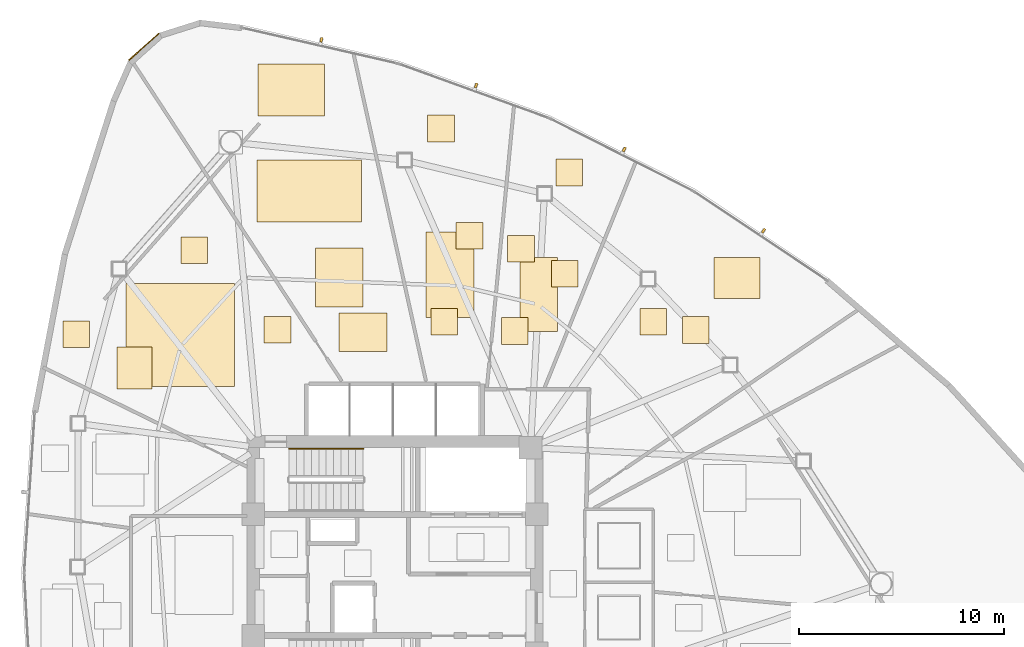
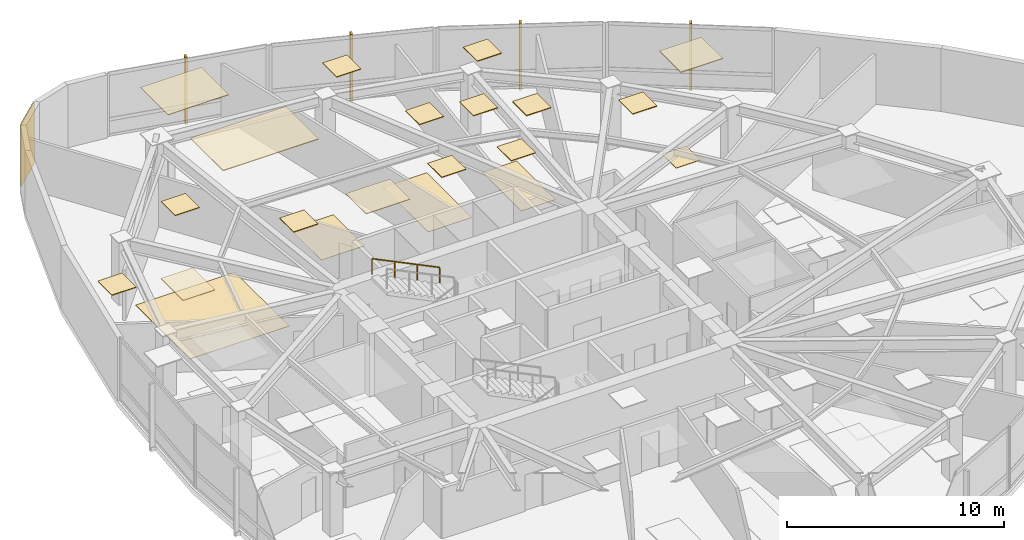
# One storey, part 18 of 18: 22 coverings, 4 shading devices, 1 railing.
"""IFC4 building model written with IfcOpenShell, lengths in metres."""

from ifc_helpers import new_model, si_unit, direction, frame, origin, origin_2d, place, context, subcontext, project, spatial, polyline, rectangle, outline, extrude, source, transform, mapped, material, layer, layer_set, type_object, type_shapes, element, save


model = new_model("IFC4")

# Units and contexts
model_context = context("Model", 3, precision=1e-05, world=origin(), true_north=direction((0.0, 1.0)))
body_context = subcontext(model_context, "Body", "Model", "MODEL_VIEW")
ifc_project = project(units=[si_unit("LENGTHUNIT", "METRE"), si_unit("AREAUNIT", "SQUARE_METRE"), si_unit("VOLUMEUNIT", "CUBIC_METRE"), si_unit("PLANEANGLEUNIT", "RADIAN"), si_unit("MASSUNIT", "GRAM", prefix="KILO")], contexts=[model_context])

# Site, building, storey
site_placement = place(None, origin())
site = spatial("IfcSite", under=ifc_project, at=site_placement, CompositionType="ELEMENT")
building_placement = place(site_placement, origin())
building = spatial("IfcBuilding", under=site, at=building_placement, Name="Tavelor Broadcast Tower", CompositionType="ELEMENT")
storey_placement = place(building_placement, frame((0.0, 0.0, 157.949951171875)))
storey = spatial("IfcBuildingStorey", under=building, at=storey_placement, Name="L37", CompositionType="ELEMENT", Elevation=157.949951171875)

# Covering
ifc_material_1 = material(Name="Copper-Bronze Anodized Aluminium", Category="aluminium")
ifc_layer_1 = layer(ifc_material_1, 0.050048828125)
ifc_layer_set_1 = layer_set([ifc_layer_1], Name="Copper-Bronze Anodized Aluminium")
covering_type_1 = type_object("IfcCoveringType", Name="Champagne-Bronze Corner Pier Metal Cladding 50 mm", PredefinedType="CLADDING", material=ifc_layer_set_1)
covering_1_placement = place(storey_placement, frame((37.769775390625, 70.718505859375, 0.02001953125), z_axis=(0.0, 0.0, 1.0), x_axis=(-0.744894056592, -0.667182766905, 0.0)))
element("IfcCovering", 1, at=covering_1_placement, inside=storey, type_object=covering_type_1, Name="L37 Champagne-Bronze Corner Cladding 03", PredefinedType="CLADDING", context=body_context, shape_type="SweptSolid", body=[
    extrude(rectangle(XDim=1.962890625, YDim=0.050048828125, at=origin_2d()), origin(), (0.0, 0.0, 1.0), 3.510009765625),
])

# Railing
ifc_material_2 = material(Name="Steel S355", Category="steel")
railing_type = type_object("IfcRailingType", Name="Continuous Brushed Stainless Handrail 900 mm", PredefinedType="HANDRAIL", material=ifc_material_2)
railing_placement = place(storey_placement, frame((48.449951171875, 51.14990234375, 2.10009765625)))
element("IfcRailing", 2, at=railing_placement, inside=storey, type_object=railing_type, Name="L37 ST1 stair handrail 2", PredefinedType="HANDRAIL", context=body_context, shape_type="SweptSolid", body=[
    extrude(rectangle(XDim=0.048095703125, YDim=0.048095703125, at=origin_2d()), frame((0.0, 0.0, 0.8759765625), z_axis=(-0.899360859046, 0.0, 0.437207096483), x_axis=(0.0, -1.0, 0.0)), (0.0, 0.0, 1.0), 4.002685546875),
    extrude(rectangle(XDim=0.0419921875, YDim=0.0419921875, at=origin_2d()), origin(), (0.0, 0.0, 1.0), 0.851806640625),
    extrude(rectangle(XDim=0.0419921875, YDim=0.0419921875, at=origin_2d()), frame((-1.199951171875, 0.0, 0.583251953125)), (0.0, 0.0, 1.0), 0.851806640625),
    extrude(rectangle(XDim=0.0419921875, YDim=0.0419921875, at=origin_2d()), frame((-2.39990234375, 0.0, 1.166748046875)), (0.0, 0.0, 1.0), 0.851806640625),
    extrude(rectangle(XDim=0.0419921875, YDim=0.0419921875, at=origin_2d()), frame((-3.599853515625, 0.0, 1.75)), (0.0, 0.0, 1.0), 0.851806640625),
])

# Coverings
ifc_material_3 = material(Name="Acoustic Nylon Carpet Tile")
ifc_layer_2 = layer(ifc_material_3, 0.02001953125)
ifc_layer_set_2 = layer_set([ifc_layer_2], Name="Acoustic Nylon Carpet Tile")
covering_type_2 = type_object("IfcCoveringType", Name="Heavy-Duty Acoustic Broadcast Carpet Tile 20 mm", PredefinedType="FLOORING", material=ifc_layer_set_2)
covering_2_placement = place(storey_placement, origin())
element("IfcCovering", 3, at=covering_2_placement, inside=storey, type_object=covering_type_2, Name="L37 Broadcast Floor Finish 0549", PredefinedType="FLOORING", context=body_context, shape_type="SweptSolid", body=[
    extrude(outline(polyline([(36.897705078125, 54.189208984375), (42.190673828125, 54.189208984375), (42.190673828125, 59.2001953125), (36.897705078125, 59.2001953125), (36.897705078125, 54.189208984375)])), origin(), (0.0, 0.0, 1.0), 0.02001953125),
])
covering_3_placement = place(storey_placement, origin())
element("IfcCovering", 4, at=covering_3_placement, inside=storey, type_object=covering_type_2, Name="L37 Broadcast Floor Finish 0550", PredefinedType="FLOORING", context=body_context, shape_type="SweptSolid", body=[
    extrude(outline(polyline([(46.1181640625, 58.042724609375), (48.43359375, 58.042724609375), (48.43359375, 60.931884765625), (46.1181640625, 60.931884765625), (46.1181640625, 58.042724609375)])), origin(), (0.0, 0.0, 1.0), 0.02001953125),
])
covering_4_placement = place(storey_placement, origin())
element("IfcCovering", 5, at=covering_4_placement, inside=storey, type_object=covering_type_2, Name="L37 Broadcast Floor Finish 0551", PredefinedType="FLOORING", context=body_context, shape_type="SweptSolid", body=[
    extrude(outline(polyline([(51.522705078125, 57.54248046875), (53.852783203125, 57.54248046875), (53.852783203125, 61.69970703125), (51.522705078125, 61.69970703125), (51.522705078125, 57.54248046875)])), origin(), (0.0, 0.0, 1.0), 0.02001953125),
])
covering_5_placement = place(storey_placement, origin())
element("IfcCovering", 6, at=covering_5_placement, inside=storey, type_object=covering_type_2, Name="L37 Broadcast Floor Finish 0552", PredefinedType="FLOORING", context=body_context, shape_type="SweptSolid", body=[
    extrude(outline(polyline([(56.086181640625, 56.859130859375), (57.920654296875, 56.859130859375), (57.920654296875, 60.4541015625), (56.086181640625, 60.4541015625), (56.086181640625, 56.859130859375)])), origin(), (0.0, 0.0, 1.0), 0.02001953125),
])
covering_6_placement = place(storey_placement, origin())
element("IfcCovering", 7, at=covering_6_placement, inside=storey, type_object=covering_type_2, Name="L37 Broadcast Floor Finish 0553", PredefinedType="FLOORING", context=body_context, shape_type="SweptSolid", body=[
    extrude(outline(polyline([(64.002685546875, 56.27880859375), (65.302734375, 56.27880859375), (65.302734375, 57.578857421875), (64.002685546875, 57.578857421875), (64.002685546875, 56.27880859375)])), origin(), (0.0, 0.0, 1.0), 0.02001953125),
])
ifc_material_4 = material(Name="Acoustic Mineral Fibre Tile")
ifc_layer_3 = layer(ifc_material_4, 0.0400390625)
ifc_layer_set_3 = layer_set([ifc_layer_3], Name="Acoustic Mineral Fibre Tile")
covering_type_3 = type_object("IfcCoveringType", Name="Suspended Acoustic Mineral-Fibre Office Ceiling 40 mm", PredefinedType="CEILING", material=ifc_layer_set_3)
covering_7_placement = place(storey_placement, frame((0.0, 0.0, 3.510009765625)))
element("IfcCovering", 8, at=covering_7_placement, inside=storey, type_object=covering_type_3, Name="L37 Suspended Acoustic Ceiling 1552", PredefinedType="CEILING", context=body_context, shape_type="SweptSolid", body=[
    extrude(outline(polyline([(39.569091796875, 60.171142578125), (40.869140625, 60.171142578125), (40.869140625, 61.47119140625), (39.569091796875, 61.47119140625), (39.569091796875, 60.171142578125)])), origin(), (0.0, 0.0, 1.0), 0.0400390625),
])
covering_8_placement = place(storey_placement, frame((0.0, 0.0, 3.510009765625)))
element("IfcCovering", 9, at=covering_8_placement, inside=storey, type_object=covering_type_3, Name="L37 Suspended Acoustic Ceiling 1553", PredefinedType="CEILING", context=body_context, shape_type="SweptSolid", body=[
    extrude(outline(polyline([(43.63330078125, 56.28759765625), (44.933349609375, 56.28759765625), (44.933349609375, 57.587646484375), (43.63330078125, 57.587646484375), (43.63330078125, 56.28759765625)])), origin(), (0.0, 0.0, 1.0), 0.0400390625),
])
covering_9_placement = place(storey_placement, frame((0.0, 0.0, 3.510009765625)))
element("IfcCovering", 10, at=covering_9_placement, inside=storey, type_object=covering_type_3, Name="L37 Suspended Acoustic Ceiling 1554", PredefinedType="CEILING", context=body_context, shape_type="SweptSolid", body=[
    extrude(outline(polyline([(36.458984375, 54.061767578125), (38.173828125, 54.061767578125), (38.173828125, 56.1162109375), (36.458984375, 56.1162109375), (36.458984375, 54.061767578125)])), origin(), (0.0, 0.0, 1.0), 0.0400390625),
])
covering_10_placement = place(storey_placement, frame((0.0, 0.0, 3.510009765625)))
element("IfcCovering", 11, at=covering_10_placement, inside=storey, type_object=covering_type_3, Name="L37 Suspended Acoustic Ceiling 1555", PredefinedType="CEILING", context=body_context, shape_type="SweptSolid", body=[
    extrude(outline(polyline([(33.83349609375, 56.078857421875), (35.133544921875, 56.078857421875), (35.133544921875, 57.37890625), (33.83349609375, 57.37890625), (33.83349609375, 56.078857421875)])), origin(), (0.0, 0.0, 1.0), 0.0400390625),
])
covering_11_placement = place(storey_placement, frame((0.0, 0.0, 3.510009765625)))
element("IfcCovering", 12, at=covering_11_placement, inside=storey, type_object=covering_type_3, Name="L37 Suspended Acoustic Ceiling 1556", PredefinedType="CEILING", context=body_context, shape_type="SweptSolid", body=[
    extrude(outline(polyline([(43.32958984375, 67.345703125), (46.56640625, 67.345703125), (46.56640625, 69.893310546875), (43.32958984375, 69.893310546875), (43.32958984375, 67.345703125)])), origin(), (0.0, 0.0, 1.0), 0.0400390625),
])
covering_12_placement = place(storey_placement, frame((0.0, 0.0, 3.510009765625)))
element("IfcCovering", 13, at=covering_12_placement, inside=storey, type_object=covering_type_3, Name="L37 Suspended Acoustic Ceiling 1557", PredefinedType="CEILING", context=body_context, shape_type="SweptSolid", body=[
    extrude(outline(polyline([(43.2822265625, 62.191650390625), (48.381103515625, 62.191650390625), (48.381103515625, 65.206298828125), (43.2822265625, 65.206298828125), (43.2822265625, 62.191650390625)])), origin(), (0.0, 0.0, 1.0), 0.0400390625),
])
covering_13_placement = place(storey_placement, frame((0.0, 0.0, 3.510009765625)))
element("IfcCovering", 14, at=covering_13_placement, inside=storey, type_object=covering_type_3, Name="L37 Suspended Acoustic Ceiling 1558", PredefinedType="CEILING", context=body_context, shape_type="SweptSolid", body=[
    extrude(outline(polyline([(47.2646484375, 55.8837890625), (49.61279296875, 55.8837890625), (49.61279296875, 57.75439453125), (47.2646484375, 57.75439453125), (47.2646484375, 55.8837890625)])), origin(), (0.0, 0.0, 1.0), 0.0400390625),
])
covering_14_placement = place(storey_placement, frame((0.0, 0.0, 3.510009765625)))
element("IfcCovering", 15, at=covering_14_placement, inside=storey, type_object=covering_type_3, Name="L37 Suspended Acoustic Ceiling 1559", PredefinedType="CEILING", context=body_context, shape_type="SweptSolid", body=[
    extrude(outline(polyline([(51.591064453125, 66.094970703125), (52.89111328125, 66.094970703125), (52.89111328125, 67.39501953125), (51.591064453125, 67.39501953125), (51.591064453125, 66.094970703125)])), origin(), (0.0, 0.0, 1.0), 0.0400390625),
])
covering_15_placement = place(storey_placement, frame((0.0, 0.0, 3.510009765625)))
element("IfcCovering", 16, at=covering_15_placement, inside=storey, type_object=covering_type_3, Name="L37 Suspended Acoustic Ceiling 1560", PredefinedType="CEILING", context=body_context, shape_type="SweptSolid", body=[
    extrude(outline(polyline([(52.9814453125, 60.869873046875), (54.281494140625, 60.869873046875), (54.281494140625, 62.169921875), (52.9814453125, 62.169921875), (52.9814453125, 60.869873046875)])), origin(), (0.0, 0.0, 1.0), 0.0400390625),
])
covering_16_placement = place(storey_placement, frame((0.0, 0.0, 3.510009765625)))
element("IfcCovering", 17, at=covering_16_placement, inside=storey, type_object=covering_type_3, Name="L37 Suspended Acoustic Ceiling 1561", PredefinedType="CEILING", context=body_context, shape_type="SweptSolid", body=[
    extrude(outline(polyline([(51.750244140625, 56.682373046875), (53.05029296875, 56.682373046875), (53.05029296875, 57.982421875), (51.750244140625, 57.982421875), (51.750244140625, 56.682373046875)])), origin(), (0.0, 0.0, 1.0), 0.0400390625),
])
covering_17_placement = place(storey_placement, frame((0.0, 0.0, 3.510009765625)))
element("IfcCovering", 18, at=covering_17_placement, inside=storey, type_object=covering_type_3, Name="L37 Suspended Acoustic Ceiling 1562", PredefinedType="CEILING", context=body_context, shape_type="SweptSolid", body=[
    extrude(outline(polyline([(55.190185546875, 56.230224609375), (56.490234375, 56.230224609375), (56.490234375, 57.5302734375), (55.190185546875, 57.5302734375), (55.190185546875, 56.230224609375)])), origin(), (0.0, 0.0, 1.0), 0.0400390625),
])
covering_18_placement = place(storey_placement, frame((0.0, 0.0, 3.510009765625)))
element("IfcCovering", 19, at=covering_18_placement, inside=storey, type_object=covering_type_3, Name="L37 Suspended Acoustic Ceiling 1563", PredefinedType="CEILING", context=body_context, shape_type="SweptSolid", body=[
    extrude(outline(polyline([(55.4921875, 60.235107421875), (56.792236328125, 60.235107421875), (56.792236328125, 61.53515625), (55.4921875, 61.53515625), (55.4921875, 60.235107421875)])), origin(), (0.0, 0.0, 1.0), 0.0400390625),
])
covering_19_placement = place(storey_placement, frame((0.0, 0.0, 3.510009765625)))
element("IfcCovering", 20, at=covering_19_placement, inside=storey, type_object=covering_type_3, Name="L37 Suspended Acoustic Ceiling 1564", PredefinedType="CEILING", context=body_context, shape_type="SweptSolid", body=[
    extrude(outline(polyline([(57.842529296875, 63.94970703125), (59.142578125, 63.94970703125), (59.142578125, 65.249755859375), (57.842529296875, 65.249755859375), (57.842529296875, 63.94970703125)])), origin(), (0.0, 0.0, 1.0), 0.0400390625),
])
covering_20_placement = place(storey_placement, frame((0.0, 0.0, 3.510009765625)))
element("IfcCovering", 21, at=covering_20_placement, inside=storey, type_object=covering_type_3, Name="L37 Suspended Acoustic Ceiling 1565", PredefinedType="CEILING", context=body_context, shape_type="SweptSolid", body=[
    extrude(outline(polyline([(57.622802734375, 59.020751953125), (58.9228515625, 59.020751953125), (58.9228515625, 60.32080078125), (57.622802734375, 60.32080078125), (57.622802734375, 59.020751953125)])), origin(), (0.0, 0.0, 1.0), 0.0400390625),
])
covering_21_placement = place(storey_placement, frame((0.0, 0.0, 3.510009765625)))
element("IfcCovering", 22, at=covering_21_placement, inside=storey, type_object=covering_type_3, Name="L37 Suspended Acoustic Ceiling 1566", PredefinedType="CEILING", context=body_context, shape_type="SweptSolid", body=[
    extrude(outline(polyline([(65.525634765625, 58.475830078125), (67.764404296875, 58.475830078125), (67.764404296875, 60.459716796875), (65.525634765625, 60.459716796875), (65.525634765625, 58.475830078125)])), origin(), (0.0, 0.0, 1.0), 0.0400390625),
])
covering_22_placement = place(storey_placement, frame((0.0, 0.0, 3.510009765625)))
element("IfcCovering", 23, at=covering_22_placement, inside=storey, type_object=covering_type_3, Name="L37 Suspended Acoustic Ceiling 1567", PredefinedType="CEILING", context=body_context, shape_type="SweptSolid", body=[
    extrude(outline(polyline([(61.929931640625, 56.683837890625), (63.22998046875, 56.683837890625), (63.22998046875, 57.98388671875), (61.929931640625, 57.98388671875), (61.929931640625, 56.683837890625)])), origin(), (0.0, 0.0, 1.0), 0.0400390625),
])

# Shading devices
ifc_material_5 = material(Name="Kiln-Fired Glazed Terracotta", Category="masonry")
shading_device_type = type_object("IfcShadingDeviceType", Name="Extruded Terracotta Baguette Sun-Screen 110x240", PredefinedType="JALOUSIE", material=ifc_material_5)
shared_shape = source(origin(), body_context, "Body", "SweptSolid", [
    extrude(rectangle(XDim=0.110107421875, YDim=0.239990234375, at=origin_2d()), origin(), (0.0, 0.0, 1.0), 3.7900390625),
])
type_shapes(shading_device_type, [shared_shape])
for number, where, z_axis, x_axis, name in (
    (24, (67.948486328125, 61.768310546875, -0.260009765625), (0.0, 0.0, 1.0), (-0.831178602446, 0.556005513314, 0.0), "L37 Terracotta Baguette Fin 381"),
    (25, (61.1650390625, 65.732177734375, -0.260009765625), (0.0, 0.0, 1.0), (-0.892428378124, 0.451189084442, 0.0), "L37 Terracotta Baguette Fin 382"),
    (26, (53.9521484375, 68.845947265625, -0.260009765625), (0.0, 0.0, 1.0), (-0.940466220425, 0.339887169865, 0.0), "L37 Terracotta Baguette Fin 383"),
    (27, (46.415283203125, 71.06396484375, -0.260009765625), (0.0, 0.0, 1.0), (-0.974683205815, 0.223590358248, 0.0), "L37 Terracotta Baguette Fin 384"),
):
    element("IfcShadingDevice", number, at=place(storey_placement, frame(where, z_axis=z_axis, x_axis=x_axis)), inside=storey, type_object=shading_device_type, Name=name, PredefinedType="JALOUSIE", context=body_context, shape_type="MappedRepresentation", body=[
        mapped(shared_shape, transform((0.0, 0.0, 0.0), scale=1.0)),
    ])

save(model, "model.ifc")
